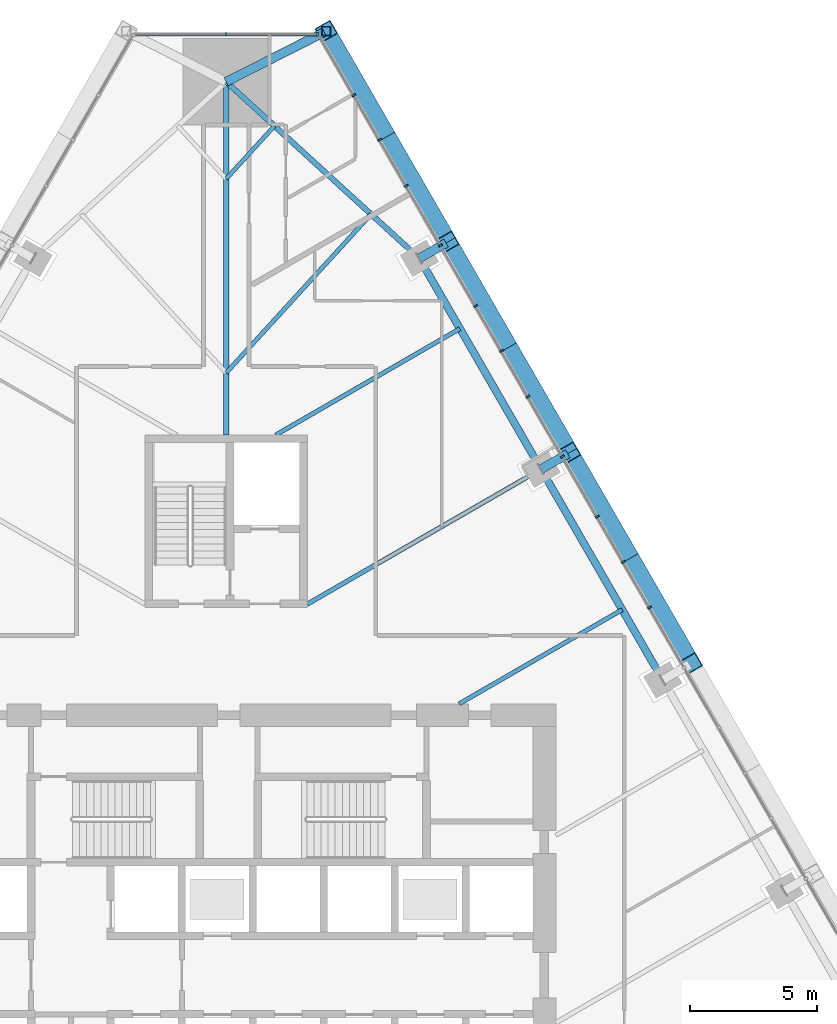
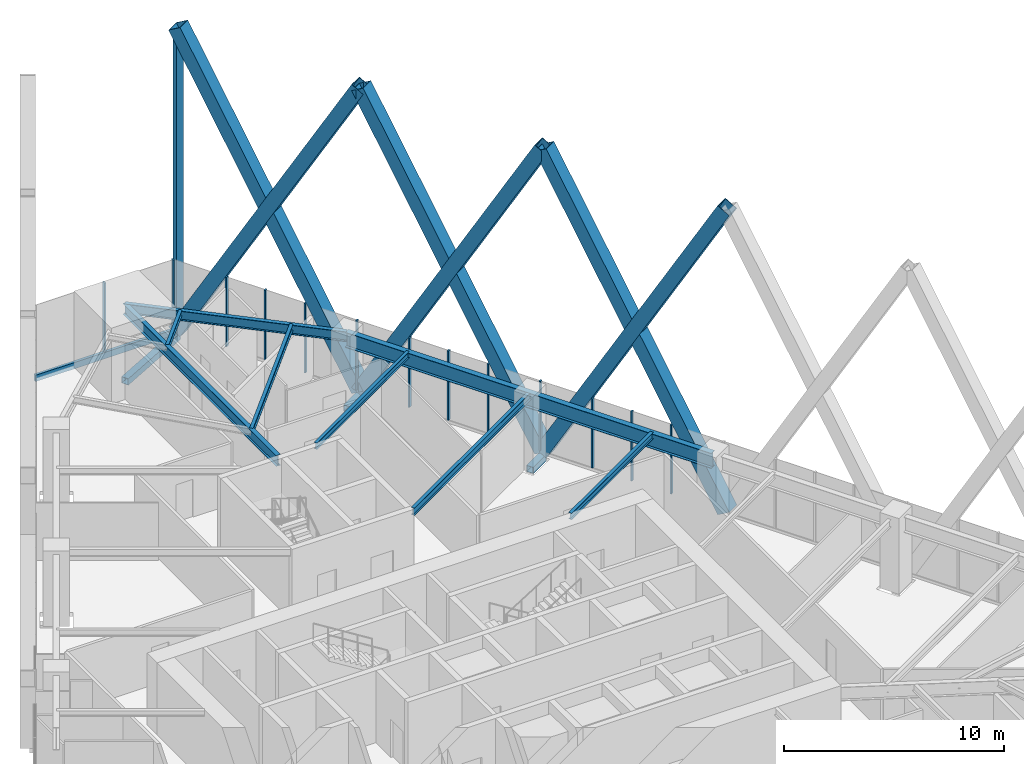
# One storey, part 12 of 26: 24 members, 8 beams, 2 elements without a shape of their own.
"""IFC4 building model written with IfcOpenShell, lengths in metres."""

from ifc_helpers import new_model, si_unit, direction, frame, origin, origin_2d, place, context, subcontext, project, spatial, rectangle, hollow_rectangle, i_section, extrude, material, layer, layer_set, material_profile, profile_set, type_object, element, aggregate, save


model = new_model("IFC4")

# Units and contexts
model_context = context("Model", 3, precision=1e-05, world=origin(), true_north=direction((0.0, 1.0)))
body_context = subcontext(model_context, "Body", "Model", "MODEL_VIEW")
ifc_project = project(units=[si_unit("LENGTHUNIT", "METRE"), si_unit("AREAUNIT", "SQUARE_METRE"), si_unit("VOLUMEUNIT", "CUBIC_METRE"), si_unit("PLANEANGLEUNIT", "RADIAN"), si_unit("MASSUNIT", "GRAM", prefix="KILO")], contexts=[model_context])

# Site, building, storey
site_placement = place(None, origin())
site = spatial("IfcSite", under=ifc_project, at=site_placement, CompositionType="ELEMENT")
building_placement = place(site_placement, origin())
building = spatial("IfcBuilding", under=site, at=building_placement, Name="Firuza Gate Tower and Library", CompositionType="ELEMENT")
storey_placement = place(building_placement, frame((0.0, 0.0, 40.0)))
storey = spatial("IfcBuildingStorey", under=building, at=storey_placement, Name="L08", CompositionType="ELEMENT", Elevation=40.0)

# Members
ifc_material_1 = material(Name="Steel S355", Category="steel")
ifc_material_profile_1 = material_profile(ifc_material_1, hollow_rectangle(XDim=0.699951171875, YDim=0.699951171875, WallThickness=0.030029296875, at=origin_2d()))
ifc_profile_set_1 = profile_set([ifc_material_profile_1], Name="Steel S355")
member_type_1 = type_object("IfcMemberType", Name="BU700x700x30 Lattice brace", PredefinedType="BRACE", material=ifc_profile_set_1)
for number, where, z_axis, x_axis, name in (
    (1, (93.346435546875, 85.59228515625, 0.0), (-0.248070627491, 0.429672811585, 0.86824088752), (-0.866026351547, -0.499998358424, 0.0), "Lattice brace E 1.4R"),
    (2, (88.54638671875, 93.90625, 0.0), (0.248070627491, -0.429672811585, 0.86824088752), (0.866026351547, 0.499998358424, 0.0), "Lattice brace E 1.4L"),
):
    element("IfcMember", number, at=place(storey_placement, frame(where, z_axis=z_axis, x_axis=x_axis)), inside=storey, type_object=member_type_1, Name=name, PredefinedType="BRACE", context=body_context, shape_type="SweptSolid", body=[
        extrude(hollow_rectangle(XDim=0.699951171875, YDim=0.699951171875, WallThickness=0.030029296875, at=origin_2d()), origin(), (0.0, 0.0, 1.0), 19.349609375),
    ])
for number, where, z_axis, x_axis, name in (
    (3, (88.54638671875, 93.90625, 0.0), (-0.24807197236, 0.429662523513, 0.868245594528), (-0.866019993635, -0.500009370536, 0.0), "Lattice brace E 1.5R"),
    (4, (83.746337890625, 102.219970703125, 0.0), (0.24807197236, -0.429662523513, 0.868245594528), (0.866019993635, 0.500009370536, 0.0), "Lattice brace E 1.5L"),
):
    element("IfcMember", number, at=place(storey_placement, frame(where, z_axis=z_axis, x_axis=x_axis)), inside=storey, type_object=member_type_1, Name=name, PredefinedType="BRACE", context=body_context, shape_type="SweptSolid", body=[
        extrude(hollow_rectangle(XDim=0.699951171875, YDim=0.699951171875, WallThickness=0.030029296875, at=origin_2d()), origin(), (0.0, 0.0, 1.0), 19.349365234375),
    ])
for number, where, z_axis, x_axis, name in (
    (5, (83.746337890625, 102.219970703125, 0.0), (-0.248070627491, 0.429672811585, 0.86824088752), (-0.866026351547, -0.499998358424, 0.0), "Lattice brace E 1.6R"),
    (6, (78.9462890625, 110.533935546875, 0.0), (0.248070627491, -0.429672811585, 0.86824088752), (0.866026351547, 0.499998358424, 0.0), "Lattice brace E 1.6L"),
):
    element("IfcMember", number, at=place(storey_placement, frame(where, z_axis=z_axis, x_axis=x_axis)), inside=storey, type_object=member_type_1, Name=name, PredefinedType="BRACE", context=body_context, shape_type="SweptSolid", body=[
        extrude(hollow_rectangle(XDim=0.699951171875, YDim=0.699951171875, WallThickness=0.030029296875, at=origin_2d()), origin(), (0.0, 0.0, 1.0), 19.349609375),
    ])

# Curtain wall, members
ifc_material_2 = material(Name="Aluminium 6063-T6", Category="aluminium")
ifc_layer_1 = layer(ifc_material_2, 0.14990234375)
ifc_layer_set_1 = layer_set([ifc_layer_1], Name="Unitised curtain wall, offices")
curtain_wall_type_1 = type_object("IfcCurtainWallType", Name="Unitised curtain wall, offices", PredefinedType="NOTDEFINED", material=ifc_layer_set_1)
placement = place(storey_placement, origin())
curtain_wall_1 = element("IfcCurtainWall", 7, at=placement, inside=storey, type_object=curtain_wall_type_1, Name="CW1 L08 E face", PredefinedType="NOTDEFINED")
ifc_material_3 = material(Name="Aluminium 6063-T6", Category="aluminium")
ifc_material_profile_2 = material_profile(ifc_material_3, rectangle(XDim=0.14990234375, YDim=0.080078125, at=origin_2d()))
ifc_profile_set_2 = profile_set([ifc_material_profile_2], Name="Aluminium 6063-T6")
member_type_2 = type_object("IfcMemberType", Name="Curtain wall mullion 80x150", PredefinedType="MULLION", material=ifc_profile_set_2)
member_1_placement = place(storey_placement, frame((90.661376953125, 89.593017578125, 0.14990234375), z_axis=(0.0, 0.0, 1.0), x_axis=(-0.866025403784, -0.5, 0.0)))
member_1 = element("IfcMember", 8, at=member_1_placement, type_object=member_type_2, Name="Mullion", PredefinedType="MULLION", context=body_context, shape_type="SweptSolid", body=[
    extrude(rectangle(XDim=0.14990234375, YDim=0.080078125, at=origin_2d()), origin(), (0.0, 0.0, 1.0), 3.85009765625),
])
member_2_placement = place(storey_placement, frame((88.2578125, 93.756103515625, 0.14990234375), z_axis=(0.0, 0.0, 1.0), x_axis=(-0.866025403784, -0.5, 0.0)))
member_2 = element("IfcMember", 9, at=member_2_placement, type_object=member_type_2, Name="Mullion", PredefinedType="MULLION", context=body_context, shape_type="SweptSolid", body=[
    extrude(rectangle(XDim=0.14990234375, YDim=0.080078125, at=origin_2d()), origin(), (0.0, 0.0, 1.0), 3.85009765625),
])
member_3_placement = place(storey_placement, frame((85.854248046875, 97.91943359375, 0.14990234375), z_axis=(0.0, 0.0, 1.0), x_axis=(-0.866025403784, -0.5, 0.0)))
member_3 = element("IfcMember", 10, at=member_3_placement, type_object=member_type_2, Name="Mullion", PredefinedType="MULLION", context=body_context, shape_type="SweptSolid", body=[
    extrude(rectangle(XDim=0.14990234375, YDim=0.080078125, at=origin_2d()), origin(), (0.0, 0.0, 1.0), 3.85009765625),
])
member_4_placement = place(storey_placement, frame((83.450439453125, 102.08251953125, 0.14990234375), z_axis=(0.0, 0.0, 1.0), x_axis=(-0.866025403784, -0.5, 0.0)))
member_4 = element("IfcMember", 11, at=member_4_placement, type_object=member_type_2, Name="Mullion", PredefinedType="MULLION", context=body_context, shape_type="SweptSolid", body=[
    extrude(rectangle(XDim=0.14990234375, YDim=0.080078125, at=origin_2d()), origin(), (0.0, 0.0, 1.0), 3.85009765625),
])
member_5_placement = place(storey_placement, frame((81.046875, 106.24560546875, 0.14990234375), z_axis=(0.0, 0.0, 1.0), x_axis=(-0.866025403784, -0.5, 0.0)))
member_5 = element("IfcMember", 12, at=member_5_placement, type_object=member_type_2, Name="Mullion", PredefinedType="MULLION", context=body_context, shape_type="SweptSolid", body=[
    extrude(rectangle(XDim=0.14990234375, YDim=0.080078125, at=origin_2d()), origin(), (0.0, 0.0, 1.0), 3.85009765625),
])
member_6_placement = place(storey_placement, frame((91.697998046875, 87.79736328125, 0.14990234375), z_axis=(0.0, 0.0, 1.0), x_axis=(-0.866025403784, -0.5, 0.0)))
member_6 = element("IfcMember", 13, at=member_6_placement, type_object=member_type_2, Name="Mullion", PredefinedType="MULLION", context=body_context, shape_type="SweptSolid", body=[
    extrude(rectangle(XDim=0.14990234375, YDim=0.080078125, at=origin_2d()), origin(), (0.0, 0.0, 1.0), 3.85009765625),
])
member_7_placement = place(storey_placement, frame((89.6318359375, 91.3759765625, 0.14990234375), z_axis=(0.0, 0.0, 1.0), x_axis=(-0.866025403784, -0.5, 0.0)))
member_7 = element("IfcMember", 14, at=member_7_placement, type_object=member_type_2, Name="Mullion", PredefinedType="MULLION", context=body_context, shape_type="SweptSolid", body=[
    extrude(rectangle(XDim=0.14990234375, YDim=0.080078125, at=origin_2d()), origin(), (0.0, 0.0, 1.0), 3.85009765625),
])
member_8_placement = place(storey_placement, frame((86.89794921875, 96.111328125, 0.14990234375), z_axis=(0.0, 0.0, 1.0), x_axis=(-0.866025403784, -0.5, 0.0)))
member_8 = element("IfcMember", 15, at=member_8_placement, type_object=member_type_2, Name="Mullion", PredefinedType="MULLION", context=body_context, shape_type="SweptSolid", body=[
    extrude(rectangle(XDim=0.14990234375, YDim=0.080078125, at=origin_2d()), origin(), (0.0, 0.0, 1.0), 3.85009765625),
])
member_9_placement = place(storey_placement, frame((84.831787109375, 99.68994140625, 0.14990234375), z_axis=(0.0, 0.0, 1.0), x_axis=(-0.866025403784, -0.5, 0.0)))
member_9 = element("IfcMember", 16, at=member_9_placement, type_object=member_type_2, Name="Mullion", PredefinedType="MULLION", context=body_context, shape_type="SweptSolid", body=[
    extrude(rectangle(XDim=0.14990234375, YDim=0.080078125, at=origin_2d()), origin(), (0.0, 0.0, 1.0), 3.85009765625),
])
member_10_placement = place(storey_placement, frame((82.09814453125, 104.425048828125, 0.14990234375), z_axis=(0.0, 0.0, 1.0), x_axis=(-0.866025403784, -0.5, 0.0)))
member_10 = element("IfcMember", 17, at=member_10_placement, type_object=member_type_2, Name="Mullion", PredefinedType="MULLION", context=body_context, shape_type="SweptSolid", body=[
    extrude(rectangle(XDim=0.14990234375, YDim=0.080078125, at=origin_2d()), origin(), (0.0, 0.0, 1.0), 3.85009765625),
])
member_11_placement = place(storey_placement, frame((80.031982421875, 108.003662109375, 0.14990234375), z_axis=(0.0, 0.0, 1.0), x_axis=(-0.866025403784, -0.5, 0.0)))
member_11 = element("IfcMember", 18, at=member_11_placement, type_object=member_type_2, Name="Mullion", PredefinedType="MULLION", context=body_context, shape_type="SweptSolid", body=[
    extrude(rectangle(XDim=0.14990234375, YDim=0.080078125, at=origin_2d()), origin(), (0.0, 0.0, 1.0), 3.85009765625),
])
aggregate(curtain_wall_1, [member_1, member_2, member_3, member_4, member_5, member_6, member_7, member_8, member_9, member_10, member_11])

ifc_material_4 = material(Name="Aluminium 6063-T6", Category="aluminium")
ifc_layer_2 = layer(ifc_material_4, 0.14990234375)
ifc_layer_set_2 = layer_set([ifc_layer_2], Name="Corner curtain wall, chamfers")
curtain_wall_type_2 = type_object("IfcCurtainWallType", Name="Corner curtain wall, chamfers", PredefinedType="NOTDEFINED", material=ifc_layer_set_2)
curtain_wall_2 = element("IfcCurtainWall", 19, at=placement, inside=storey, type_object=curtain_wall_type_2, Name="CW4 L08 N corner", PredefinedType="NOTDEFINED")
member_12_placement = place(storey_placement, frame((78.603271484375, 110.408935546875, 0.14990234375), z_axis=(0.0, 0.0, 1.0), x_axis=(0.0, -1.0, 0.0)))
member_12 = element("IfcMember", 20, at=member_12_placement, type_object=member_type_2, Name="Mullion", PredefinedType="MULLION", context=body_context, shape_type="SweptSolid", body=[
    extrude(rectangle(XDim=0.14990234375, YDim=0.080078125, at=origin_2d()), origin(), (0.0, 0.0, 1.0), 3.85009765625),
])
member_13_placement = place(storey_placement, frame((75.0, 110.408935546875, 0.14990234375), z_axis=(0.0, 0.0, 1.0), x_axis=(0.0, -1.0, 0.0)))
member_13 = element("IfcMember", 21, at=member_13_placement, type_object=member_type_2, Name="Mullion", PredefinedType="MULLION", context=body_context, shape_type="SweptSolid", body=[
    extrude(rectangle(XDim=0.14990234375, YDim=0.080078125, at=origin_2d()), origin(), (0.0, 0.0, 1.0), 3.85009765625),
])
ifc_material_5 = material(Name="Aluminium 6063-T6", Category="aluminium")
ifc_material_profile_3 = material_profile(ifc_material_5, rectangle(XDim=0.14990234375, YDim=0.35009765625, at=origin_2d()))
ifc_profile_set_3 = profile_set([ifc_material_profile_3], Name="Aluminium 6063-T6")
member_type_3 = type_object("IfcMemberType", Name="Curtain wall transom 350x150", PredefinedType="USERDEFINED", material=ifc_profile_set_3)
member_14_placement = place(storey_placement, frame((78.643310546875, 110.408935546875, -0.02490234375), z_axis=(-1.0, 0.0, 0.0), x_axis=(0.0, -1.0, 0.0)))
member_14 = element("IfcMember", 22, at=member_14_placement, type_object=member_type_3, Name="Transom", ObjectType="TRANSOM", PredefinedType="USERDEFINED", context=body_context, shape_type="SweptSolid", body=[
    extrude(rectangle(XDim=0.14990234375, YDim=0.35009765625, at=origin_2d()), origin(), (0.0, 0.0, 1.0), 7.28662109375),
])
aggregate(curtain_wall_2, [member_12, member_13, member_14])

# Members
ifc_material_6 = material(Name="Steel S355", Category="steel")
ifc_material_profile_4 = material_profile(ifc_material_6, hollow_rectangle(XDim=0.355712890625, YDim=0.355712890625, WallThickness=0.014892578125, at=origin_2d()))
ifc_profile_set_4 = profile_set([ifc_material_profile_4], Name="Steel S355")
member_type_4 = type_object("IfcMemberType", Name="HSS356x356x16 Lattice corner stile", PredefinedType="BRACE", material=ifc_profile_set_4)
member_15_placement = place(storey_placement, frame((78.9462890625, 110.533935546875, -0.139892578125), z_axis=(0.0, 0.0, 1.0), x_axis=(1.0, 0.0, 0.0)))
element("IfcMember", 23, at=member_15_placement, inside=storey, type_object=member_type_4, Name="Lattice corner stile E 1.B", PredefinedType="BRACE", context=body_context, shape_type="SweptSolid", body=[
    extrude(hollow_rectangle(XDim=0.355712890625, YDim=0.355712890625, WallThickness=0.014892578125, at=origin_2d()), origin(), (0.0, 0.0, 1.0), 16.43994140625),
])
ifc_material_7 = material(Name="Steel S355", Category="steel")
ifc_material_profile_5 = material_profile(ifc_material_7, hollow_rectangle(XDim=0.355712890625, YDim=0.355712890625, WallThickness=0.014892578125, at=origin_2d()))
ifc_profile_set_5 = profile_set([ifc_material_profile_5], Name="Steel S355")
member_type_5 = type_object("IfcMemberType", Name="HSS356x356x16 Lattice node tie", PredefinedType="BRACE", material=ifc_profile_set_5)
member_16_placement = place(storey_placement, frame((75.0, 108.533935546875, -0.340087890625), z_axis=(0.892006133943, 0.452023292551, 0.0), x_axis=(-0.452023292551, 0.892006133943, 0.0)))
element("IfcMember", 24, at=member_16_placement, inside=storey, type_object=member_type_5, Name="Lattice node tie E L08 1", PredefinedType="BRACE", context=body_context, shape_type="SweptSolid", body=[
    extrude(hollow_rectangle(XDim=0.355712890625, YDim=0.355712890625, WallThickness=0.014892578125, at=origin_2d()), origin(), (0.0, 0.0, 1.0), 4.339111328125),
])
for number, where, z_axis, x_axis, name in (
    (25, (82.62060546875, 101.570068359375, -0.340087890625), (0.866058436235, 0.499942781752, 0.0), (-0.499942781752, 0.866058436235, 0.0), "Lattice node tie E L08 2"),
    (26, (87.420654296875, 93.256103515625, -0.340087890625), (0.865971428223, 0.500093476763, 0.0), (-0.500093476763, 0.865971428223, 0.0), "Lattice node tie E L08 3"),
):
    element("IfcMember", number, at=place(storey_placement, frame(where, z_axis=z_axis, x_axis=x_axis)), inside=storey, type_object=member_type_5, Name=name, PredefinedType="BRACE", context=body_context, shape_type="SweptSolid", body=[
        extrude(hollow_rectangle(XDim=0.355712890625, YDim=0.355712890625, WallThickness=0.014892578125, at=origin_2d()), origin(), (0.0, 0.0, 1.0), 1.215087890625),
    ])

# Beams
ifc_material_8 = material(Name="Steel S355", Category="steel")
ifc_material_profile_6 = material_profile(ifc_material_8, i_section(OverallWidth=0.1650390625, OverallDepth=0.31005859375, WebThickness=0.005859375, FlangeThickness=0.009765625, at=origin_2d()))
ifc_profile_set_6 = profile_set([ifc_material_profile_6], Name="Steel S355")
beam_type_1 = type_object("IfcBeamType", Name="W310x39 Floor beam", PredefinedType="JOIST", material=ifc_profile_set_6)
beam_1_placement = place(storey_placement, frame((76.905029296875, 106.79296875, 3.844970703125), z_axis=(-0.674533736892, -0.738244023203, 0.0), x_axis=(0.738244023203, -0.674533736892, 0.0)))
element("IfcBeam", 27, at=beam_1_placement, inside=storey, type_object=beam_type_1, Name="Floor beam L08 s61", PredefinedType="JOIST", context=body_context, shape_type="SweptSolid", body=[
    extrude(i_section(OverallWidth=0.1650390625, OverallDepth=0.31005859375, WebThickness=0.005859375, FlangeThickness=0.009765625, at=origin_2d()), origin(), (0.0, 0.0, 1.0), 2.82421875),
])
ifc_material_9 = material(Name="Steel S355", Category="steel")
ifc_material_profile_7 = material_profile(ifc_material_9, i_section(OverallWidth=0.1708984375, OverallDepth=0.35498046875, WebThickness=0.007080078125, FlangeThickness=0.01171875, at=origin_2d()))
ifc_profile_set_7 = profile_set([ifc_material_profile_7], Name="Steel S355")
beam_type_2 = type_object("IfcBeamType", Name="W360x51 Floor beam", PredefinedType="JOIST", material=ifc_profile_set_7)
beam_2_placement = place(storey_placement, frame((90.62060546875, 87.713623046875, 3.822509765625), z_axis=(-0.866023556141, -0.500003200199, 0.0), x_axis=(0.500003200199, -0.866023556141, 0.0)))
element("IfcBeam", 28, at=beam_2_placement, inside=storey, type_object=beam_type_2, Name="Floor beam L08 s53", PredefinedType="JOIST", context=body_context, shape_type="SweptSolid", body=[
    extrude(i_section(OverallWidth=0.1708984375, OverallDepth=0.35498046875, WebThickness=0.007080078125, FlangeThickness=0.01171875, at=origin_2d()), origin(), (0.0, 0.0, 1.0), 7.42724609375),
])
beam_3_placement = place(storey_placement, frame((84.220458984375, 98.798828125, 3.822509765625), z_axis=(-0.866019517829, -0.500010194636, 0.0), x_axis=(0.500010194636, -0.866019517829, 0.0)))
element("IfcBeam", 29, at=beam_3_placement, inside=storey, type_object=beam_type_2, Name="Floor beam L08 s55", PredefinedType="JOIST", context=body_context, shape_type="SweptSolid", body=[
    extrude(i_section(OverallWidth=0.1708984375, OverallDepth=0.35498046875, WebThickness=0.007080078125, FlangeThickness=0.01171875, at=origin_2d()), origin(), (0.0, 0.0, 1.0), 8.397216796875),
])
beam_4_placement = place(storey_placement, frame((80.71533203125, 103.31103515625, 3.822509765625), z_axis=(-0.674578139258, -0.7382034503, 0.0), x_axis=(0.7382034503, -0.674578139258, 0.0)))
element("IfcBeam", 30, at=beam_4_placement, inside=storey, type_object=beam_type_2, Name="Floor beam L08 s60", PredefinedType="JOIST", context=body_context, shape_type="SweptSolid", body=[
    extrude(i_section(OverallWidth=0.1708984375, OverallDepth=0.35498046875, WebThickness=0.007080078125, FlangeThickness=0.01171875, at=origin_2d()), origin(), (0.0, 0.0, 1.0), 8.472412109375),
])
ifc_material_10 = material(Name="Steel S355", Category="steel")
ifc_material_profile_8 = material_profile(ifc_material_10, i_section(OverallWidth=0.177978515625, OverallDepth=0.406982421875, WebThickness=0.0078125, FlangeThickness=0.0126953125, at=origin_2d()))
ifc_profile_set_8 = profile_set([ifc_material_profile_8], Name="Steel S355")
beam_type_3 = type_object("IfcBeamType", Name="W410x60 Floor beam", PredefinedType="JOIST", material=ifc_profile_set_8)
beam_5_placement = place(storey_placement, frame((87.420654296875, 93.256103515625, 3.79638671875), z_axis=(-0.866029027547, -0.499993723407, 0.0), x_axis=(0.499993723407, -0.866029027547, 0.0)))
element("IfcBeam", 31, at=beam_5_placement, inside=storey, type_object=beam_type_3, Name="Floor beam L08 s54", PredefinedType="JOIST", context=body_context, shape_type="SweptSolid", body=[
    extrude(i_section(OverallWidth=0.177978515625, OverallDepth=0.406982421875, WebThickness=0.0078125, FlangeThickness=0.0126953125, at=origin_2d()), origin(), (0.0, 0.0, 1.0), 10.647216796875),
])
ifc_material_11 = material(Name="Steel S355", Category="steel")
ifc_material_profile_9 = material_profile(ifc_material_11, i_section(OverallWidth=0.212890625, OverallDepth=0.5390625, WebThickness=0.01171875, FlangeThickness=0.018798828125, at=origin_2d()))
ifc_profile_set_9 = profile_set([ifc_material_profile_9], Name="Steel S355")
beam_type_4 = type_object("IfcBeamType", Name="W530x109 Edge beam", PredefinedType="SPANDREL", material=ifc_profile_set_9)
beam_6_placement = place(storey_placement, frame((82.62060546875, 101.570068359375, 3.73046875), z_axis=(-0.738199730284, 0.674582210118, 0.0), x_axis=(-0.674582210118, -0.738199730284, 0.0)))
element("IfcBeam", 32, at=beam_6_placement, inside=storey, type_object=beam_type_4, Name="Edge beam L08 e60", PredefinedType="SPANDREL", context=body_context, shape_type="SweptSolid", body=[
    extrude(i_section(OverallWidth=0.212890625, OverallDepth=0.5390625, WebThickness=0.01171875, FlangeThickness=0.018798828125, at=origin_2d()), origin(), (0.0, 0.0, 1.0), 10.3232421875),
])
ifc_material_12 = material(Name="Steel S355", Category="steel")
ifc_material_profile_10 = material_profile(ifc_material_12, i_section(OverallWidth=0.22802734375, OverallDepth=0.60302734375, WebThickness=0.010498046875, FlangeThickness=0.014892578125, at=origin_2d()))
ifc_profile_set_10 = profile_set([ifc_material_profile_10], Name="Steel S355")
beam_type_5 = type_object("IfcBeamType", Name="W610x101 Girder", PredefinedType="BEAM", material=ifc_profile_set_10)
beam_7_placement = place(storey_placement, frame((75.0, 108.533935546875, 3.698486328125), z_axis=(0.0, -1.0, 0.0), x_axis=(1.0, 0.0, 0.0)))
element("IfcBeam", 33, at=beam_7_placement, inside=storey, type_object=beam_type_5, Name="Girder L08 gN", PredefinedType="BEAM", context=body_context, shape_type="SweptSolid", body=[
    extrude(i_section(OverallWidth=0.22802734375, OverallDepth=0.60302734375, WebThickness=0.010498046875, FlangeThickness=0.014892578125, at=origin_2d()), origin(), (0.0, 0.0, 1.0), 13.933837890625),
])
ifc_material_13 = material(Name="Steel S355", Category="steel")
ifc_material_profile_11 = material_profile(ifc_material_13, i_section(OverallWidth=0.2919921875, OverallDepth=0.8349609375, WebThickness=0.013916015625, FlangeThickness=0.018798828125, at=origin_2d()))
ifc_profile_set_11 = profile_set([ifc_material_profile_11], Name="Steel S355")
beam_type_6 = type_object("IfcBeamType", Name="W840x176 Edge beam", PredefinedType="SPANDREL", material=ifc_profile_set_11)
beam_8_placement = place(storey_placement, frame((92.220458984375, 84.9423828125, 3.58251953125), z_axis=(-0.499994327668, 0.866028678682, 0.0), x_axis=(-0.866028678682, -0.499994327668, 0.0)))
element("IfcBeam", 34, at=beam_8_placement, inside=storey, type_object=beam_type_6, Name="Edge beam L08 e52", PredefinedType="SPANDREL", context=body_context, shape_type="SweptSolid", body=[
    extrude(i_section(OverallWidth=0.2919921875, OverallDepth=0.8349609375, WebThickness=0.013916015625, FlangeThickness=0.018798828125, at=origin_2d()), origin(), (0.0, 0.0, 1.0), 19.199951171875),
])

save(model, "model.ifc")
